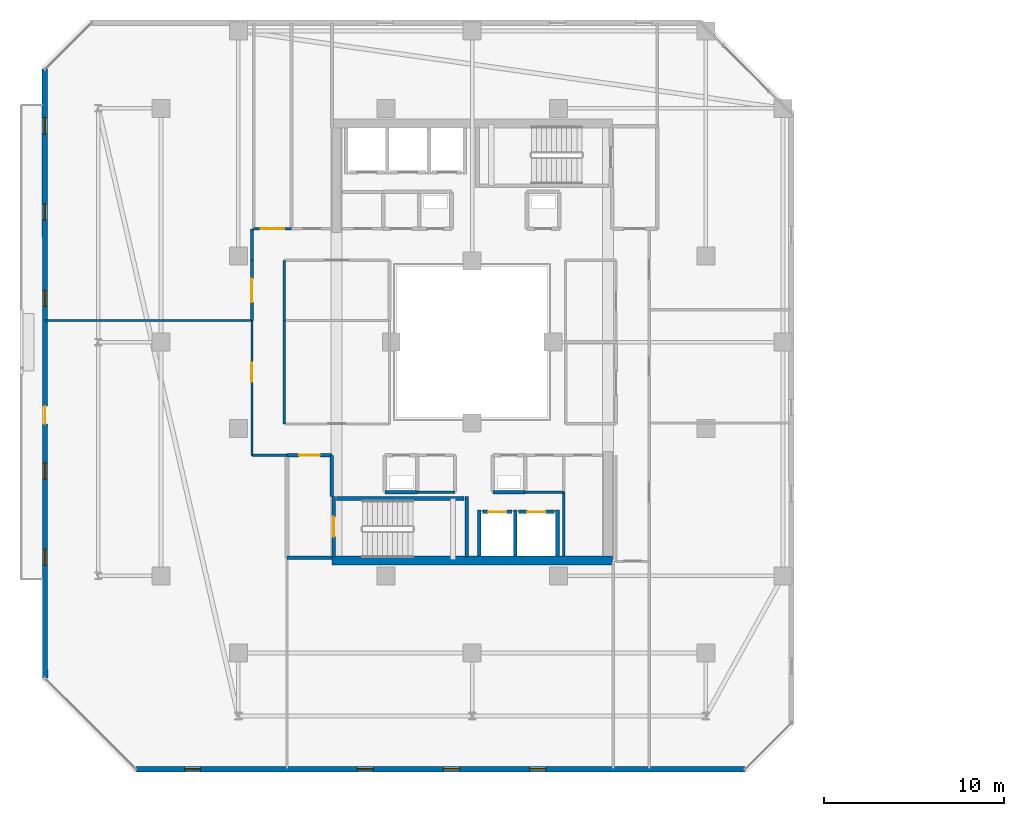
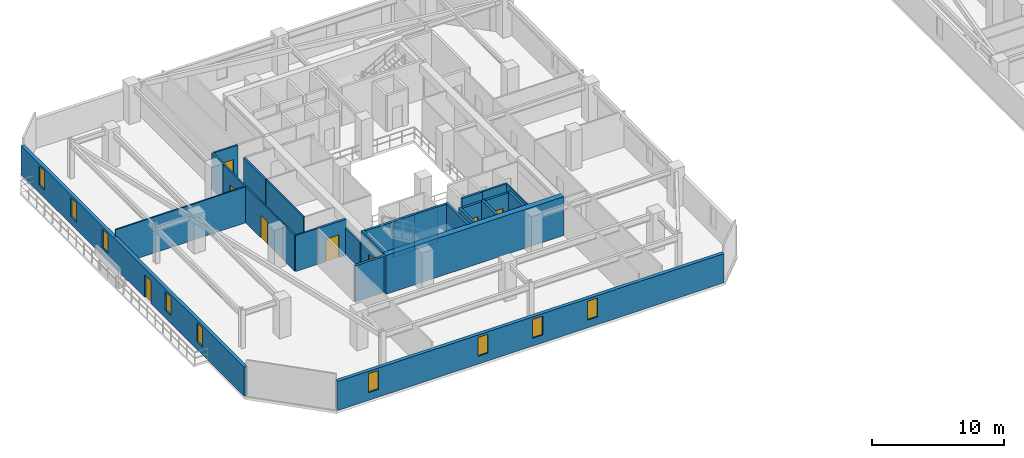
# One storey, part 18 of 32: 28 walls, 9 windows, 8 doors, 17 openings.
"""IFC4 building model written with IfcOpenShell, lengths in metres."""

from ifc_helpers import new_model, si_unit, direction, frame, frame_2d, origin, place, context, subcontext, project, spatial, rectangle, extrude, material, layer, layer_set, type_object, element, fill, save


model = new_model("IFC4")

# Units and contexts
model_context = context("Model", 3, precision=1e-05, world=origin(), true_north=direction((0.0, 1.0)))
body_context = subcontext(model_context, "Body", "Model", "MODEL_VIEW")
ifc_project = project(units=[si_unit("LENGTHUNIT", "METRE"), si_unit("AREAUNIT", "SQUARE_METRE"), si_unit("VOLUMEUNIT", "CUBIC_METRE"), si_unit("PLANEANGLEUNIT", "RADIAN"), si_unit("MASSUNIT", "GRAM", prefix="KILO")], contexts=[model_context])

# Site, building, storey
site_placement = place(None, origin())
site = spatial("IfcSite", under=ifc_project, at=site_placement, CompositionType="ELEMENT")
building_placement = place(site_placement, origin())
building = spatial("IfcBuilding", under=site, at=building_placement, Name="Thornwick Lancets Civic Towers", CompositionType="ELEMENT")
storey_placement = place(building_placement, frame((0.0, 0.0, 243.89990234375)))
storey = spatial("IfcBuildingStorey", under=building, at=storey_placement, Name="L65", CompositionType="ELEMENT", Elevation=243.89990234375)

# Wall, opening, door
ifc_material_1 = material(Name="Concrete blockwork C40/50", Category="masonry")
ifc_layer_1 = layer(ifc_material_1, 0.199951171875, Name="Concrete blockwork C40/50")
ifc_layer_set_1 = layer_set([ifc_layer_1], Name="Concrete blockwork C40/50")
wall_type_1 = type_object("IfcWallType", Name="WALL_COMP_200", PredefinedType="STANDARD", material=ifc_layer_set_1)
wall_1_placement = place(storey_placement, frame((26.080078125, 17.550048828125, 0.0), z_axis=(0.0, 0.0, 1.0), x_axis=(1.0, 0.0, 0.0)))
wall_1 = element("IfcWall", 1, at=wall_1_placement, inside=storey, type_object=wall_type_1, Name="L65 Hoistway Front Wall FL-A1", PredefinedType="STANDARD", context=body_context, shape_type="SweptSolid", body=[
    extrude(rectangle(XDim=1.639892578125, YDim=0.199951171875, at=frame_2d((0.81982421875, 0.0))), origin(), (0.0, 0.0, 1.0), 3.340087890625),
])
opening_1_placement = place(wall_1_placement, frame((0.31005859375, 0.0, 0.0)))
opening_1 = element("IfcOpeningElement", 2, at=opening_1_placement, cuts=wall_1, Name="Opening LD-FL-A1", PredefinedType="OPENING", context=body_context, shape_type="SweptSolid", body=[
    extrude(rectangle(XDim=1.02001953125, YDim=2.06005859375, at=frame_2d((0.510009765625, 1.030029296875))), frame((0.0, 0.10986328125, 0.0), z_axis=(0.0, -1.0, 0.0), x_axis=(1.0, 0.0, 0.0)), (0.0, 0.0, 1.0), 0.219970703125),
])
ifc_material_2 = material(Name="Brushed bronze stainless steel", Category="steel")
door_type_1 = type_object("IfcDoorType", Name="DOOR_LIFT_SLIDE", OperationType="SLIDING_TO_LEFT", PredefinedType="DOOR", material=ifc_material_2)
door_1_placement = place(opening_1_placement, origin())
door_1 = element("IfcDoor", 3, at=door_1_placement, inside=storey, type_object=door_type_1, Name="L65 Sliding Lift Landing Door LD-FL-A1", OperationType="SLIDING_TO_LEFT", OverallHeight=2.06005859375, OverallWidth=1.02001953125, PredefinedType="DOOR", context=body_context, shape_type="SweptSolid", body=[
    extrude(rectangle(XDim=1.02001953125, YDim=2.06005859375, at=frame_2d((0.510009765625, 1.030029296875))), frame((0.0, 0.02490234375, 0.0), z_axis=(0.0, -1.0, 0.0), x_axis=(1.0, 0.0, 0.0)), (0.0, 0.0, 1.0), 0.050048828125),
])
fill(opening_1, door_1)

wall_2_placement = place(storey_placement, frame((28.080078125, 17.550048828125, 0.0), z_axis=(0.0, 0.0, 1.0), x_axis=(1.0, 0.0, 0.0)))
wall_2 = element("IfcWall", 4, at=wall_2_placement, inside=storey, type_object=wall_type_1, Name="L65 Hoistway Front Wall PL-AH1", PredefinedType="STANDARD", context=body_context, shape_type="SweptSolid", body=[
    extrude(rectangle(XDim=1.989990234375, YDim=0.199951171875, at=frame_2d((0.9951171875, 0.0))), origin(), (0.0, 0.0, 1.0), 3.340087890625),
])
opening_2_placement = place(wall_2_placement, frame((0.485107421875, 0.0, 0.0)))
opening_2 = element("IfcOpeningElement", 5, at=opening_2_placement, cuts=wall_2, Name="Opening LD-PL-AH1", PredefinedType="OPENING", context=body_context, shape_type="SweptSolid", body=[
    extrude(rectangle(XDim=1.02001953125, YDim=2.06005859375, at=frame_2d((0.510009765625, 1.030029296875))), frame((0.0, 0.10986328125, 0.0), z_axis=(0.0, -1.0, 0.0), x_axis=(1.0, 0.0, 0.0)), (0.0, 0.0, 1.0), 0.219970703125),
])
door_2_placement = place(opening_2_placement, origin())
door_2 = element("IfcDoor", 6, at=door_2_placement, inside=storey, type_object=door_type_1, Name="L65 Sliding Lift Landing Door LD-PL-AH1", OperationType="SLIDING_TO_LEFT", OverallHeight=2.06005859375, OverallWidth=1.02001953125, PredefinedType="DOOR", context=body_context, shape_type="SweptSolid", body=[
    extrude(rectangle(XDim=1.02001953125, YDim=2.06005859375, at=frame_2d((0.510009765625, 1.030029296875))), frame((0.0, 0.02490234375, 0.0), z_axis=(0.0, -1.0, 0.0), x_axis=(1.0, 0.0, 0.0)), (0.0, 0.0, 1.0), 0.050048828125),
])
fill(opening_2, door_2)

# Walls
for number, where, z_axis, x_axis, name in (
    (7, (27.89990234375, 15.112060546875, 0.0), (0.0, 0.0, 1.0), (0.0, 1.0, 0.0), "L65 Hoistway Shaft Wall FL-A1 E"),
    (8, (25.89990234375, 15.112060546875, 0.0), (0.0, 0.0, 1.0), (0.0, 1.0, 0.0), "L65 Hoistway Shaft Wall FL-A1 W"),
    (9, (30.25, 15.112060546875, 0.0), (0.0, 0.0, 1.0), (0.0, 1.0, 0.0), "L65 Hoistway Shaft Wall PL-AH1 E"),
):
    element("IfcWall", number, at=place(storey_placement, frame(where, z_axis=z_axis, x_axis=x_axis)), inside=storey, type_object=wall_type_1, Name=name, PredefinedType="STANDARD", context=body_context, shape_type="SweptSolid", body=[
        extrude(rectangle(XDim=2.535888671875, YDim=0.199951171875, at=frame_2d((1.26806640625, 0.0))), origin(), (0.0, 0.0, 1.0), 3.340087890625),
    ])
wall_3_placement = place(storey_placement, frame((15.199951171875, 15.0, 0.0), z_axis=(0.0, 0.0, 1.0), x_axis=(1.0, 0.0, 0.0)))
element("IfcWall", 10, at=wall_3_placement, inside=storey, type_object=wall_type_1, Name="L65 Partition L65-A-FFLOB1 E1", PredefinedType="STANDARD", context=body_context, shape_type="SweptSolid", body=[
    extrude(rectangle(XDim=2.5, YDim=0.199951171875, at=frame_2d((1.25, 0.0))), origin(), (0.0, 0.0, 1.0), 3.340087890625),
])
wall_4_placement = place(storey_placement, frame((17.699951171875, 18.39990234375, 0.0), z_axis=(0.0, 0.0, 1.0), x_axis=(0.0, 1.0, 0.0)))
element("IfcWall", 11, at=wall_4_placement, inside=storey, type_object=wall_type_1, Name="L65 Partition L65-A-FFLOB1 E2", PredefinedType="STANDARD", context=body_context, shape_type="SweptSolid", body=[
    extrude(rectangle(XDim=2.300048828125, YDim=0.199951171875, at=frame_2d((1.14990234375, 0.0))), origin(), (0.0, 0.0, 1.0), 2.545166015625),
])

# Wall, opening, door
wall_5_placement = place(storey_placement, frame((17.699951171875, 20.699951171875, 0.0), z_axis=(0.0, 0.0, 1.0), x_axis=(-1.0, 0.0, 0.0)))
wall_5 = element("IfcWall", 12, at=wall_5_placement, inside=storey, type_object=wall_type_1, Name="L65 Partition L65-A-FFLOB1 E3", PredefinedType="STANDARD", context=body_context, shape_type="SweptSolid", body=[
    extrude(rectangle(XDim=2.5, YDim=0.199951171875, at=frame_2d((1.25, 0.0))), origin(), (0.0, 0.0, 1.0), 3.340087890625),
])
opening_3_placement = place(wall_5_placement, frame((0.675048828125, 0.0, 0.0)))
opening_3 = element("IfcOpeningElement", 13, at=opening_3_placement, cuts=wall_5, Name="Opening D-L65-2923", PredefinedType="OPENING", context=body_context, shape_type="SweptSolid", body=[
    extrude(rectangle(XDim=1.14990234375, YDim=2.10009765625, at=frame_2d((0.574951171875, 1.050048828125))), frame((0.0, 0.10986328125, 0.0), z_axis=(0.0, -1.0, 0.0), x_axis=(1.0, 0.0, 0.0)), (0.0, 0.0, 1.0), 0.219970703125),
])
ifc_material_3 = material(Name="Glazed fire-resisting steel", Category="steel")
door_type_2 = type_object("IfcDoorType", Name="DOOR_LOBBY_FD60", OperationType="NOTDEFINED", PredefinedType="DOOR", material=ifc_material_3)
door_3_placement = place(opening_3_placement, origin())
door_3 = element("IfcDoor", 14, at=door_3_placement, inside=storey, type_object=door_type_2, Name="L65 South Firefighting Lobby 1 Door", OperationType="SINGLE_SWING_RIGHT", OverallHeight=2.10009765625, OverallWidth=1.14990234375, PredefinedType="DOOR", context=body_context, shape_type="SweptSolid", body=[
    extrude(rectangle(XDim=1.14990234375, YDim=2.10009765625, at=frame_2d((0.574951171875, 1.050048828125))), frame((0.0, 0.02490234375, 0.0), z_axis=(0.0, -1.0, 0.0), x_axis=(1.0, 0.0, 0.0)), (0.0, 0.0, 1.0), 0.050048828125),
])
fill(opening_3, door_3)

# Walls
for number, where, z_axis, x_axis, name in (
    (15, (26.64990234375, 18.64990234375, 0.0), (0.0, 0.0, 1.0), (1.0, 0.0, 0.0), "L65 Partition L65-A-DUCT1 E1"),
    (16, (20.64990234375, 18.64990234375, 0.0), (0.0, 0.0, 1.0), (1.0, 0.0, 0.0), "L65 Partition L65-A-RISER1 E1"),
):
    element("IfcWall", number, at=place(storey_placement, frame(where, z_axis=z_axis, x_axis=x_axis)), inside=storey, type_object=wall_type_1, Name=name, PredefinedType="STANDARD", context=body_context, shape_type="SweptSolid", body=[
        extrude(rectangle(XDim=1.800048828125, YDim=0.199951171875, at=frame_2d((0.89990234375, 0.0))), origin(), (0.0, 0.0, 1.0), 3.340087890625),
    ])
ifc_material_4 = material(Name="Concrete C50/60", Category="concrete")
ifc_layer_2 = layer(ifc_material_4, 0.5, Name="Concrete C50/60")
ifc_layer_set_2 = layer_set([ifc_layer_2], Name="Concrete C50/60")
wall_type_2 = type_object("IfcWallType", Name="WALL_CORE_500", PredefinedType="SHEAR", material=ifc_layer_set_2)
wall_6_placement = place(storey_placement, frame((17.699951171875, 14.85009765625, 0.0), z_axis=(0.0, 0.0, 1.0), x_axis=(1.0, 0.0, 0.0)))
element("IfcWall", 17, at=wall_6_placement, inside=storey, type_object=wall_type_2, Name="L65 Split Core A1 Shear Wall S", PredefinedType="SHEAR", context=body_context, shape_type="SweptSolid", body=[
    extrude(rectangle(XDim=15.60009765625, YDim=0.5, at=frame_2d((7.800048828125, 0.0))), origin(), (0.0, 0.0, 1.0), 3.60009765625),
])

# Wall, openings, windows
ifc_material_5 = material(Name="Insulated russet terracotta rainscreen on concrete C40/50", Category="masonry")
ifc_layer_3 = layer(ifc_material_5, 0.300048828125, Name="Insulated russet terracotta rainscreen on concrete C40/50")
ifc_layer_set_3 = layer_set([ifc_layer_3], Name="Insulated russet terracotta rainscreen on concrete C40/50")
wall_type_3 = type_object("IfcWallType", Name="WALL_EXT_RUSSET_300", PredefinedType="STANDARD", material=ifc_layer_set_3)
wall_7_placement = place(storey_placement, frame((6.800537109375, 3.24365234375, 0.0), z_axis=(0.0, 0.0, 1.0), x_axis=(0.999999969988, -0.000244999128, 0.0)))
wall_7 = element("IfcWall", 18, at=wall_7_placement, inside=storey, type_object=wall_type_3, Name="L65 Tower A Terracotta Facade Wall E0", PredefinedType="STANDARD", context=body_context, shape_type="SweptSolid", body=[
    extrude(rectangle(XDim=33.880859375, YDim=0.300048828125, at=frame_2d((16.9404296875, 0.0))), origin(), (0.0, 0.0, 1.0), 2.7001953125),
])
opening_4_placement = place(wall_7_placement, frame((2.699951171875, 0.0, 0.719970703125)))
opening_4 = element("IfcOpeningElement", 19, at=opening_4_placement, cuts=wall_7, Name="Opening WL-01", PredefinedType="OPENING", context=body_context, shape_type="SweptSolid", body=[
    extrude(rectangle(XDim=0.89990234375, YDim=1.75, at=frame_2d((0.449951171875, 0.875))), frame((0.0, 0.16015625, 0.0), z_axis=(0.0, -1.0, 0.0), x_axis=(1.0, 0.0, 0.0)), (0.0, 0.0, 1.0), 0.320068359375),
])
opening_5_placement = place(wall_7_placement, frame((12.300048828125, 0.0, 0.719970703125)))
opening_5 = element("IfcOpeningElement", 20, at=opening_5_placement, cuts=wall_7, Name="Opening WL-01", PredefinedType="OPENING", context=body_context, shape_type="SweptSolid", body=[
    extrude(rectangle(XDim=0.89990234375, YDim=1.75, at=frame_2d((0.449951171875, 0.875))), frame((0.0, 0.16015625, 0.0), z_axis=(0.0, -1.0, 0.0), x_axis=(1.0, 0.0, 0.0)), (0.0, 0.0, 1.0), 0.320068359375),
])
opening_6_placement = place(wall_7_placement, frame((17.10009765625, 0.0, 0.719970703125)))
opening_6 = element("IfcOpeningElement", 21, at=opening_6_placement, cuts=wall_7, Name="Opening WL-01", PredefinedType="OPENING", context=body_context, shape_type="SweptSolid", body=[
    extrude(rectangle(XDim=0.89990234375, YDim=1.75, at=frame_2d((0.449951171875, 0.875))), frame((0.0, 0.16015625, 0.0), z_axis=(0.0, -1.0, 0.0), x_axis=(1.0, 0.0, 0.0)), (0.0, 0.0, 1.0), 0.320068359375),
])
opening_7_placement = place(wall_7_placement, frame((21.89990234375, 0.0, 0.719970703125)))
opening_7 = element("IfcOpeningElement", 22, at=opening_7_placement, cuts=wall_7, Name="Opening WL-01", PredefinedType="OPENING", context=body_context, shape_type="SweptSolid", body=[
    extrude(rectangle(XDim=0.89990234375, YDim=1.75, at=frame_2d((0.449951171875, 0.875))), frame((0.0, 0.16015625, 0.0), z_axis=(0.0, -1.0, 0.0), x_axis=(1.0, 0.0, 0.0)), (0.0, 0.0, 1.0), 0.320068359375),
])
ifc_material_6 = material(Name="Clear low-e double glazing in bronze frame", Category="glass")
window_type = type_object("IfcWindowType", Name="WIN_LANCET_900", PartitioningType="SINGLE_PANEL", PredefinedType="WINDOW", material=ifc_material_6)
window_1_placement = place(opening_4_placement, origin())
window_1 = element("IfcWindow", 23, at=window_1_placement, inside=storey, type_object=window_type, Name="L65 Tower A Staggered Lancet Window E0-1", OverallHeight=1.75, OverallWidth=0.89990234375, PartitioningType="SINGLE_PANEL", PredefinedType="WINDOW", context=body_context, shape_type="SweptSolid", body=[
    extrude(rectangle(XDim=0.89990234375, YDim=1.75, at=frame_2d((0.449951171875, 0.875))), frame((0.0, 0.030029296875, 0.0), z_axis=(0.0, -1.0, 0.0), x_axis=(1.0, 0.0, 0.0)), (0.0, 0.0, 1.0), 0.06005859375),
])
fill(opening_4, window_1)
window_2_placement = place(opening_5_placement, origin())
window_2 = element("IfcWindow", 24, at=window_2_placement, inside=storey, type_object=window_type, Name="L65 Tower A Staggered Lancet Window E0-2", OverallHeight=1.75, OverallWidth=0.89990234375, PartitioningType="SINGLE_PANEL", PredefinedType="WINDOW", context=body_context, shape_type="SweptSolid", body=[
    extrude(rectangle(XDim=0.89990234375, YDim=1.75, at=frame_2d((0.449951171875, 0.875))), frame((0.0, 0.030029296875, 0.0), z_axis=(0.0, -1.0, 0.0), x_axis=(1.0, 0.0, 0.0)), (0.0, 0.0, 1.0), 0.06005859375),
])
fill(opening_5, window_2)
window_3_placement = place(opening_6_placement, origin())
window_3 = element("IfcWindow", 25, at=window_3_placement, inside=storey, type_object=window_type, Name="L65 Tower A Staggered Lancet Window E0-3", OverallHeight=1.75, OverallWidth=0.89990234375, PartitioningType="SINGLE_PANEL", PredefinedType="WINDOW", context=body_context, shape_type="SweptSolid", body=[
    extrude(rectangle(XDim=0.89990234375, YDim=1.75, at=frame_2d((0.449951171875, 0.875))), frame((0.0, 0.030029296875, 0.0), z_axis=(0.0, -1.0, 0.0), x_axis=(1.0, 0.0, 0.0)), (0.0, 0.0, 1.0), 0.06005859375),
])
fill(opening_6, window_3)
window_4_placement = place(opening_7_placement, origin())
window_4 = element("IfcWindow", 26, at=window_4_placement, inside=storey, type_object=window_type, Name="L65 Tower A Staggered Lancet Window E0-4", OverallHeight=1.75, OverallWidth=0.89990234375, PartitioningType="SINGLE_PANEL", PredefinedType="WINDOW", context=body_context, shape_type="SweptSolid", body=[
    extrude(rectangle(XDim=0.89990234375, YDim=1.75, at=frame_2d((0.449951171875, 0.875))), frame((0.0, 0.030029296875, 0.0), z_axis=(0.0, -1.0, 0.0), x_axis=(1.0, 0.0, 0.0)), (0.0, 0.0, 1.0), 0.06005859375),
])
fill(opening_7, window_4)

# Wall, openings, door, windows
wall_8_placement = place(storey_placement, frame((1.7353515625, 42.181396484375, 0.0), z_axis=(0.0, 0.0, 1.0), x_axis=(0.000244999128, -0.999999969988, 0.0)))
wall_8 = element("IfcWall", 27, at=wall_8_placement, inside=storey, type_object=wall_type_3, Name="L65 Tower A Terracotta Facade Wall E6", PredefinedType="STANDARD", context=body_context, shape_type="SweptSolid", body=[
    extrude(rectangle(XDim=33.880859375, YDim=0.300048828125, at=frame_2d((16.9404296875, 0.0))), origin(), (0.0, 0.0, 1.0), 2.7001953125),
])
opening_8_placement = place(wall_8_placement, frame((18.740478515625, 0.0, 0.0)))
opening_8 = element("IfcOpeningElement", 28, at=opening_8_placement, cuts=wall_8, Name="Opening D-BL-L65-AW", PredefinedType="OPENING", context=body_context, shape_type="SweptSolid", body=[
    extrude(rectangle(XDim=1.0, YDim=2.080078125, at=frame_2d((0.5, 1.0400390625))), frame((0.0, 0.16015625, 0.0), z_axis=(0.0, -1.0, 0.0), x_axis=(1.0, 0.0, 0.0)), (0.0, 0.0, 1.0), 0.320068359375),
])
opening_9_placement = place(wall_8_placement, frame((2.699951171875, 0.0, 0.719970703125)))
opening_9 = element("IfcOpeningElement", 29, at=opening_9_placement, cuts=wall_8, Name="Opening WL-01", PredefinedType="OPENING", context=body_context, shape_type="SweptSolid", body=[
    extrude(rectangle(XDim=0.89990234375, YDim=1.75, at=frame_2d((0.449951171875, 0.875))), frame((0.0, 0.16015625, 0.0), z_axis=(0.0, -1.0, 0.0), x_axis=(1.0, 0.0, 0.0)), (0.0, 0.0, 1.0), 0.320068359375),
])
opening_10_placement = place(wall_8_placement, frame((7.5, 0.0, 0.719970703125)))
opening_10 = element("IfcOpeningElement", 30, at=opening_10_placement, cuts=wall_8, Name="Opening WL-01", PredefinedType="OPENING", context=body_context, shape_type="SweptSolid", body=[
    extrude(rectangle(XDim=0.89990234375, YDim=1.75, at=frame_2d((0.449951171875, 0.875))), frame((0.0, 0.16015625, 0.0), z_axis=(0.0, -1.0, 0.0), x_axis=(1.0, 0.0, 0.0)), (0.0, 0.0, 1.0), 0.320068359375),
])
opening_11_placement = place(wall_8_placement, frame((12.300048828125, 0.0, 0.719970703125)))
opening_11 = element("IfcOpeningElement", 31, at=opening_11_placement, cuts=wall_8, Name="Opening WL-01", PredefinedType="OPENING", context=body_context, shape_type="SweptSolid", body=[
    extrude(rectangle(XDim=0.89990234375, YDim=1.75, at=frame_2d((0.449951171875, 0.875))), frame((0.0, 0.16015625, 0.0), z_axis=(0.0, -1.0, 0.0), x_axis=(1.0, 0.0, 0.0)), (0.0, 0.0, 1.0), 0.320068359375),
])
opening_12_placement = place(wall_8_placement, frame((21.89990234375, 0.0, 0.719970703125)))
opening_12 = element("IfcOpeningElement", 32, at=opening_12_placement, cuts=wall_8, Name="Opening WL-01", PredefinedType="OPENING", context=body_context, shape_type="SweptSolid", body=[
    extrude(rectangle(XDim=0.89990234375, YDim=1.75, at=frame_2d((0.449951171875, 0.875))), frame((0.0, 0.16015625, 0.0), z_axis=(0.0, -1.0, 0.0), x_axis=(1.0, 0.0, 0.0)), (0.0, 0.0, 1.0), 0.320068359375),
])
opening_13_placement = place(wall_8_placement, frame((26.699951171875, 0.0, 0.719970703125)))
opening_13 = element("IfcOpeningElement", 33, at=opening_13_placement, cuts=wall_8, Name="Opening WL-01", PredefinedType="OPENING", context=body_context, shape_type="SweptSolid", body=[
    extrude(rectangle(XDim=0.89990234375, YDim=1.75, at=frame_2d((0.449951171875, 0.875))), frame((0.0, 0.16015625, 0.0), z_axis=(0.0, -1.0, 0.0), x_axis=(1.0, 0.0, 0.0)), (0.0, 0.0, 1.0), 0.320068359375),
])
ifc_material_7 = material(Name="Thermally broken glazed loggia doorset")
door_type_3 = type_object("IfcDoorType", Name="DOOR_BALC_1000", OperationType="NOTDEFINED", PredefinedType="DOOR", material=ifc_material_7)
door_4_placement = place(opening_8_placement, origin())
door_4 = element("IfcDoor", 34, at=door_4_placement, inside=storey, type_object=door_type_3, Name="L65 Tower A Loggia Balcony Door W", OperationType="SINGLE_SWING_RIGHT", OverallHeight=2.080078125, OverallWidth=1.0, PredefinedType="DOOR", context=body_context, shape_type="SweptSolid", body=[
    extrude(rectangle(XDim=1.0, YDim=2.080078125, at=frame_2d((0.5, 1.0400390625))), frame((0.0, 0.02490234375, 0.0), z_axis=(0.0, -1.0, 0.0), x_axis=(1.0, 0.0, 0.0)), (0.0, 0.0, 1.0), 0.050048828125),
])
fill(opening_8, door_4)
window_5_placement = place(opening_9_placement, origin())
window_5 = element("IfcWindow", 35, at=window_5_placement, inside=storey, type_object=window_type, Name="L65 Tower A Staggered Lancet Window E6-1", OverallHeight=1.75, OverallWidth=0.89990234375, PartitioningType="SINGLE_PANEL", PredefinedType="WINDOW", context=body_context, shape_type="SweptSolid", body=[
    extrude(rectangle(XDim=0.89990234375, YDim=1.75, at=frame_2d((0.449951171875, 0.875))), frame((0.0, 0.030029296875, 0.0), z_axis=(0.0, -1.0, 0.0), x_axis=(1.0, 0.0, 0.0)), (0.0, 0.0, 1.0), 0.06005859375),
])
fill(opening_9, window_5)
window_6_placement = place(opening_10_placement, origin())
window_6 = element("IfcWindow", 36, at=window_6_placement, inside=storey, type_object=window_type, Name="L65 Tower A Staggered Lancet Window E6-2", OverallHeight=1.75, OverallWidth=0.89990234375, PartitioningType="SINGLE_PANEL", PredefinedType="WINDOW", context=body_context, shape_type="SweptSolid", body=[
    extrude(rectangle(XDim=0.89990234375, YDim=1.75, at=frame_2d((0.449951171875, 0.875))), frame((0.0, 0.030029296875, 0.0), z_axis=(0.0, -1.0, 0.0), x_axis=(1.0, 0.0, 0.0)), (0.0, 0.0, 1.0), 0.06005859375),
])
fill(opening_10, window_6)
window_7_placement = place(opening_11_placement, origin())
window_7 = element("IfcWindow", 37, at=window_7_placement, inside=storey, type_object=window_type, Name="L65 Tower A Staggered Lancet Window E6-3", OverallHeight=1.75, OverallWidth=0.89990234375, PartitioningType="SINGLE_PANEL", PredefinedType="WINDOW", context=body_context, shape_type="SweptSolid", body=[
    extrude(rectangle(XDim=0.89990234375, YDim=1.75, at=frame_2d((0.449951171875, 0.875))), frame((0.0, 0.030029296875, 0.0), z_axis=(0.0, -1.0, 0.0), x_axis=(1.0, 0.0, 0.0)), (0.0, 0.0, 1.0), 0.06005859375),
])
fill(opening_11, window_7)
window_8_placement = place(opening_12_placement, origin())
window_8 = element("IfcWindow", 38, at=window_8_placement, inside=storey, type_object=window_type, Name="L65 Tower A Staggered Lancet Window E6-4", OverallHeight=1.75, OverallWidth=0.89990234375, PartitioningType="SINGLE_PANEL", PredefinedType="WINDOW", context=body_context, shape_type="SweptSolid", body=[
    extrude(rectangle(XDim=0.89990234375, YDim=1.75, at=frame_2d((0.449951171875, 0.875))), frame((0.0, 0.030029296875, 0.0), z_axis=(0.0, -1.0, 0.0), x_axis=(1.0, 0.0, 0.0)), (0.0, 0.0, 1.0), 0.06005859375),
])
fill(opening_12, window_8)
window_9_placement = place(opening_13_placement, origin())
window_9 = element("IfcWindow", 39, at=window_9_placement, inside=storey, type_object=window_type, Name="L65 Tower A Staggered Lancet Window E6-5", OverallHeight=1.75, OverallWidth=0.89990234375, PartitioningType="SINGLE_PANEL", PredefinedType="WINDOW", context=body_context, shape_type="SweptSolid", body=[
    extrude(rectangle(XDim=0.89990234375, YDim=1.75, at=frame_2d((0.449951171875, 0.875))), frame((0.0, 0.030029296875, 0.0), z_axis=(0.0, -1.0, 0.0), x_axis=(1.0, 0.0, 0.0)), (0.0, 0.0, 1.0), 0.06005859375),
])
fill(opening_13, window_9)

# Walls
ifc_material_8 = material(Name="Acoustic gypsum board partition")
ifc_layer_4 = layer(ifc_material_8, 0.1201171875, Name="Acoustic gypsum board partition")
ifc_layer_set_4 = layer_set([ifc_layer_4], Name="Acoustic gypsum board partition")
wall_type_4 = type_object("IfcWallType", Name="WALL_PART_120", PredefinedType="PARTITIONING", material=ifc_layer_set_4)
wall_9_placement = place(storey_placement, frame((30.60009765625, 15.10009765625, 0.0), z_axis=(0.0, 0.0, 1.0), x_axis=(0.0, 1.0, 0.0)))
element("IfcWall", 40, at=wall_9_placement, inside=storey, type_object=wall_type_4, Name="L65 Partition L65-A-ITR E3", PredefinedType="PARTITIONING", context=body_context, shape_type="SweptSolid", body=[
    extrude(rectangle(XDim=3.5498046875, YDim=0.1201171875, at=frame_2d((1.77490234375, 0.0))), origin(), (0.0, 0.0, 1.0), 3.340087890625),
])
wall_10_placement = place(storey_placement, frame((13.25, 22.449951171875, 0.0), z_axis=(0.0, 0.0, 1.0), x_axis=(0.0, -1.0, 0.0)))
element("IfcWall", 41, at=wall_10_placement, inside=storey, type_object=wall_type_4, Name="L65 Partition L65-A-W1 E1", PredefinedType="PARTITIONING", context=body_context, shape_type="SweptSolid", body=[
    extrude(rectangle(XDim=1.75, YDim=0.1201171875, at=frame_2d((0.875, 0.0))), origin(), (0.0, 0.0, 1.0), 3.340087890625),
])
wall_11_placement = place(storey_placement, frame((13.25, 20.699951171875, 0.0), z_axis=(0.0, 0.0, 1.0), x_axis=(1.0, 0.0, 0.0)))
element("IfcWall", 42, at=wall_11_placement, inside=storey, type_object=wall_type_4, Name="L65 Partition L65-A-W1 E2", PredefinedType="PARTITIONING", context=body_context, shape_type="SweptSolid", body=[
    extrude(rectangle(XDim=1.949951171875, YDim=0.1201171875, at=frame_2d((0.97509765625, 0.0))), origin(), (0.0, 0.0, 1.0), 3.340087890625),
])
wall_12_placement = place(storey_placement, frame((1.780029296875, 28.199951171875, 0.0), z_axis=(0.0, 0.0, 1.0), x_axis=(1.0, 0.0, 0.0)))
element("IfcWall", 43, at=wall_12_placement, inside=storey, type_object=wall_type_4, Name="L65 Partition L65-A-W1 E8", PredefinedType="PARTITIONING", context=body_context, shape_type="SweptSolid", body=[
    extrude(rectangle(XDim=11.469970703125, YDim=0.1201171875, at=frame_2d((5.73486328125, 0.0))), origin(), (0.0, 0.0, 1.0), 3.340087890625),
])

# Wall, opening, door
wall_13_placement = place(storey_placement, frame((13.25, 28.199951171875, 0.0), z_axis=(0.0, 0.0, 1.0), x_axis=(0.0, -1.0, 0.0)))
wall_13 = element("IfcWall", 44, at=wall_13_placement, inside=storey, type_object=wall_type_4, Name="L65 Partition L65-A-W1 E9", PredefinedType="PARTITIONING", context=body_context, shape_type="SweptSolid", body=[
    extrude(rectangle(XDim=5.75, YDim=0.1201171875, at=frame_2d((2.875, 0.0))), origin(), (0.0, 0.0, 1.0), 3.340087890625),
])
opening_14_placement = place(wall_13_placement, frame((2.35009765625, 0.0, 0.0)))
opening_14 = element("IfcOpeningElement", 45, at=opening_14_placement, cuts=wall_13, Name="Opening D-L65-2948", PredefinedType="OPENING", context=body_context, shape_type="SweptSolid", body=[
    extrude(rectangle(XDim=1.050048828125, YDim=2.10009765625, at=frame_2d((0.52490234375, 1.050048828125))), frame((0.0, 0.070068359375, 0.0), z_axis=(0.0, -1.0, 0.0), x_axis=(1.0, 0.0, 0.0)), (0.0, 0.0, 1.0), 0.14013671875),
])
ifc_material_9 = material(Name="Glazed European oak executive doorset")
door_type_4 = type_object("IfcDoorType", Name="DOOR_OFFICE_1050", OperationType="NOTDEFINED", PredefinedType="DOOR", material=ifc_material_9)
door_5_placement = place(opening_14_placement, origin())
door_5 = element("IfcDoor", 46, at=door_5_placement, inside=storey, type_object=door_type_4, Name="L65 Tower A Ministry Directorate Office W1 Door", OperationType="SINGLE_SWING_LEFT", OverallHeight=2.10009765625, OverallWidth=1.050048828125, PredefinedType="DOOR", context=body_context, shape_type="SweptSolid", body=[
    extrude(rectangle(XDim=1.050048828125, YDim=2.10009765625, at=frame_2d((0.52490234375, 1.050048828125))), frame((0.0, 0.02490234375, 0.0), z_axis=(0.0, -1.0, 0.0), x_axis=(1.0, 0.0, 0.0)), (0.0, 0.0, 1.0), 0.050048828125),
])
fill(opening_14, door_5)

# Walls
wall_14_placement = place(storey_placement, frame((15.050048828125, 22.449951171875, 0.0), z_axis=(0.0, 0.0, 1.0), x_axis=(0.0, 1.0, 0.0)))
element("IfcWall", 47, at=wall_14_placement, inside=storey, type_object=wall_type_4, Name="L65 Partition L65-A-W3 E1", PredefinedType="PARTITIONING", context=body_context, shape_type="SweptSolid", body=[
    extrude(rectangle(XDim=5.75, YDim=0.1201171875, at=frame_2d((2.875, 0.0))), origin(), (0.0, 0.0, 1.0), 3.340087890625),
])
ifc_material_10 = material(Name="Twin-stud acoustic gypsum board")
ifc_layer_5 = layer(ifc_material_10, 0.14990234375, Name="Twin-stud acoustic gypsum board")
ifc_layer_set_5 = layer_set([ifc_layer_5], Name="Twin-stud acoustic gypsum board")
wall_type_5 = type_object("IfcWallType", Name="WALL_PART_150", PredefinedType="PARTITIONING", material=ifc_layer_set_5)
wall_15_placement = place(storey_placement, frame((24.550048828125, 18.64990234375, 0.0), z_axis=(0.0, 0.0, 1.0), x_axis=(-1.0, 0.0, 0.0)))
element("IfcWall", 48, at=wall_15_placement, inside=storey, type_object=wall_type_5, Name="L65 Partition L65-A-MWC E2", PredefinedType="PARTITIONING", context=body_context, shape_type="SweptSolid", body=[
    extrude(rectangle(XDim=2.10009765625, YDim=0.14990234375, at=frame_2d((1.050048828125, 0.0))), origin(), (0.0, 0.0, 1.0), 3.340087890625),
])
wall_16_placement = place(storey_placement, frame((30.60009765625, 18.64990234375, 0.0), z_axis=(0.0, 0.0, 1.0), x_axis=(-1.0, 0.0, 0.0)))
element("IfcWall", 49, at=wall_16_placement, inside=storey, type_object=wall_type_5, Name="L65 Partition L65-A-FWC E2", PredefinedType="PARTITIONING", context=body_context, shape_type="SweptSolid", body=[
    extrude(rectangle(XDim=2.150146484375, YDim=0.14990234375, at=frame_2d((1.0751953125, 0.0))), origin(), (0.0, 0.0, 1.0), 3.340087890625),
])

# Wall, opening, door
wall_17_placement = place(storey_placement, frame((15.449951171875, 33.300048828125, 0.0), z_axis=(0.0, 0.0, 1.0), x_axis=(-1.0, 0.0, 0.0)))
wall_17 = element("IfcWall", 50, at=wall_17_placement, inside=storey, type_object=wall_type_5, Name="L65 Partition L65-A-RECLAIM-M1 E4", PredefinedType="PARTITIONING", context=body_context, shape_type="SweptSolid", body=[
    extrude(rectangle(XDim=2.099853515625, YDim=0.14990234375, at=frame_2d((1.0498046875, 0.0))), origin(), (0.0, 0.0, 1.0), 3.340087890625),
])
opening_15_placement = place(wall_17_placement, frame((0.39990234375, 0.0, 0.0)))
opening_15 = element("IfcOpeningElement", 51, at=opening_15_placement, cuts=wall_17, Name="Opening D-L65-2946", PredefinedType="OPENING", context=body_context, shape_type="SweptSolid", body=[
    extrude(rectangle(XDim=1.300048828125, YDim=2.1201171875, at=frame_2d((0.64990234375, 1.06005859375))), frame((0.0, 0.0849609375, 0.0), z_axis=(0.0, -1.0, 0.0), x_axis=(1.0, 0.0, 0.0)), (0.0, 0.0, 1.0), 0.169921875),
])
ifc_material_11 = material(Name="Acoustic oak leaf-and-a-half doorset")
door_type_5 = type_object("IfcDoorType", Name="DOOR_MEET_1300", OperationType="DOUBLE_DOOR_SINGLE_SWING", PredefinedType="DOOR", material=ifc_material_11)
door_6_placement = place(opening_15_placement, origin())
door_6 = element("IfcDoor", 52, at=door_6_placement, inside=storey, type_object=door_type_5, Name="L65 Tower A Diplomatic Conference Room Door", OperationType="DOUBLE_DOOR_SINGLE_SWING", OverallHeight=2.1201171875, OverallWidth=1.300048828125, PredefinedType="DOOR", context=body_context, shape_type="SweptSolid", body=[
    extrude(rectangle(XDim=1.300048828125, YDim=2.1201171875, at=frame_2d((0.64990234375, 1.06005859375))), frame((0.0, 0.02490234375, 0.0), z_axis=(0.0, -1.0, 0.0), x_axis=(1.0, 0.0, 0.0)), (0.0, 0.0, 1.0), 0.050048828125),
])
fill(opening_15, door_6)

# Wall
wall_18_placement = place(storey_placement, frame((13.25, 33.300048828125, 0.0), z_axis=(0.0, 0.0, 1.0), x_axis=(0.0, -1.0, 0.0)))
element("IfcWall", 53, at=wall_18_placement, inside=storey, type_object=wall_type_5, Name="L65 Partition L65-A-W2 E5", PredefinedType="PARTITIONING", context=body_context, shape_type="SweptSolid", body=[
    extrude(rectangle(XDim=1.75, YDim=0.14990234375, at=frame_2d((0.875, 0.0))), origin(), (0.0, 0.0, 1.0), 3.340087890625),
])

# Wall, opening, door
wall_19_placement = place(storey_placement, frame((13.25, 31.550048828125, 0.0), z_axis=(0.0, 0.0, 1.0), x_axis=(0.0, -1.0, 0.0)))
wall_19 = element("IfcWall", 54, at=wall_19_placement, inside=storey, type_object=wall_type_5, Name="L65 Partition L65-A-W2 E6", PredefinedType="PARTITIONING", context=body_context, shape_type="SweptSolid", body=[
    extrude(rectangle(XDim=3.35009765625, YDim=0.14990234375, at=frame_2d((1.675048828125, 0.0))), origin(), (0.0, 0.0, 1.0), 3.340087890625),
])
opening_16_placement = place(wall_19_placement, frame((1.02490234375, 0.0, 0.0)))
opening_16 = element("IfcOpeningElement", 55, at=opening_16_placement, cuts=wall_19, Name="Opening D-L65-2949", PredefinedType="OPENING", context=body_context, shape_type="SweptSolid", body=[
    extrude(rectangle(XDim=1.300048828125, YDim=2.1201171875, at=frame_2d((0.64990234375, 1.06005859375))), frame((0.0, 0.0849609375, 0.0), z_axis=(0.0, -1.0, 0.0), x_axis=(1.0, 0.0, 0.0)), (0.0, 0.0, 1.0), 0.169921875),
])
door_7_placement = place(opening_16_placement, origin())
door_7 = element("IfcDoor", 56, at=door_7_placement, inside=storey, type_object=door_type_5, Name="L65 Tower A Policy Briefing Room W2 Door", OperationType="DOUBLE_DOOR_SINGLE_SWING", OverallHeight=2.1201171875, OverallWidth=1.300048828125, PredefinedType="DOOR", context=body_context, shape_type="SweptSolid", body=[
    extrude(rectangle(XDim=1.300048828125, YDim=2.1201171875, at=frame_2d((0.64990234375, 1.06005859375))), frame((0.0, 0.02490234375, 0.0), z_axis=(0.0, -1.0, 0.0), x_axis=(1.0, 0.0, 0.0)), (0.0, 0.0, 1.0), 0.050048828125),
])
fill(opening_16, door_7)

# Wall
wall_20_placement = place(storey_placement, frame((15.050048828125, 28.199951171875, 0.0), z_axis=(0.0, 0.0, 1.0), x_axis=(0.0, 1.0, 0.0)))
element("IfcWall", 57, at=wall_20_placement, inside=storey, type_object=wall_type_5, Name="L65 Partition L65-A-W4 E1", PredefinedType="PARTITIONING", context=body_context, shape_type="SweptSolid", body=[
    extrude(rectangle(XDim=3.35009765625, YDim=0.14990234375, at=frame_2d((1.675048828125, 0.0))), origin(), (0.0, 0.0, 1.0), 3.340087890625),
])

# Wall, opening, door
ifc_material_12 = material(Name="Concrete C40/50", Category="concrete")
ifc_layer_6 = layer(ifc_material_12, 0.199951171875, Name="Concrete C40/50")
ifc_layer_set_6 = layer_set([ifc_layer_6], Name="Concrete C40/50")
wall_type_6 = type_object("IfcWallType", Name="WALL_SHAFT_200", PredefinedType="SHEAR", material=ifc_layer_set_6)
wall_21_placement = place(storey_placement, frame((17.800048828125, 15.050048828125, 0.0), z_axis=(0.0, 0.0, 1.0), x_axis=(0.0, 1.0, 0.0)))
wall_21 = element("IfcWall", 58, at=wall_21_placement, inside=storey, type_object=wall_type_6, Name="L65 ST-A1 Fire Stair Core Wall NEAR", PredefinedType="SHEAR", context=body_context, shape_type="SweptSolid", body=[
    extrude(rectangle(XDim=3.349853515625, YDim=0.199951171875, at=frame_2d((1.6748046875, 0.0))), origin(), (0.0, 0.0, 1.0), 3.60009765625),
])
opening_17_placement = place(wall_21_placement, frame((1.125, 0.0, 0.0)))
opening_17 = element("IfcOpeningElement", 59, at=opening_17_placement, cuts=wall_21, Name="Opening D-ST-A1-L65", PredefinedType="OPENING", context=body_context, shape_type="SweptSolid", body=[
    extrude(rectangle(XDim=1.10009765625, YDim=2.10009765625, at=frame_2d((0.550048828125, 1.050048828125))), frame((0.0, 0.10986328125, 0.0), z_axis=(0.0, -1.0, 0.0), x_axis=(1.0, 0.0, 0.0)), (0.0, 0.0, 1.0), 0.219970703125),
])
ifc_material_13 = material(Name="Fire-resisting steel and hardwood", Category="steel")
door_type_6 = type_object("IfcDoorType", Name="DOOR_STAIR_FD60", OperationType="NOTDEFINED", PredefinedType="DOOR", material=ifc_material_13)
door_8_placement = place(opening_17_placement, origin())
door_8 = element("IfcDoor", 60, at=door_8_placement, inside=storey, type_object=door_type_6, Name="L65 ST-A1 Exit Stair Door", OperationType="SINGLE_SWING_RIGHT", OverallHeight=2.10009765625, OverallWidth=1.10009765625, PredefinedType="DOOR", context=body_context, shape_type="SweptSolid", body=[
    extrude(rectangle(XDim=1.10009765625, YDim=2.10009765625, at=frame_2d((0.550048828125, 1.050048828125))), frame((0.0, 0.02490234375, 0.0), z_axis=(0.0, -1.0, 0.0), x_axis=(1.0, 0.0, 0.0)), (0.0, 0.0, 1.0), 0.050048828125),
])
fill(opening_17, door_8)

# Walls
wall_22_placement = place(storey_placement, frame((25.199951171875, 18.39990234375, 0.0), z_axis=(0.0, 0.0, 1.0), x_axis=(0.0, -1.0, 0.0)))
element("IfcWall", 61, at=wall_22_placement, inside=storey, type_object=wall_type_6, Name="L65 ST-A1 Fire Stair Core Wall FAR", PredefinedType="SHEAR", context=body_context, shape_type="SweptSolid", body=[
    extrude(rectangle(XDim=3.349853515625, YDim=0.199951171875, at=frame_2d((1.6748046875, 0.0))), origin(), (0.0, 0.0, 1.0), 3.60009765625),
])
wall_23_placement = place(storey_placement, frame((25.050048828125, 18.297119140625, 0.0), z_axis=(0.0, 0.0, 1.0), x_axis=(-1.0, 0.0, 0.0)))
element("IfcWall", 62, at=wall_23_placement, inside=storey, type_object=wall_type_6, Name="L65 ST-A1 Fire Stair Core Wall RIGHT", PredefinedType="SHEAR", context=body_context, shape_type="SweptSolid", body=[
    extrude(rectangle(XDim=7.10009765625, YDim=0.199951171875, at=frame_2d((3.550048828125, 0.0))), origin(), (0.0, 0.0, 1.0), 3.60009765625),
])

save(model, "model.ifc")
